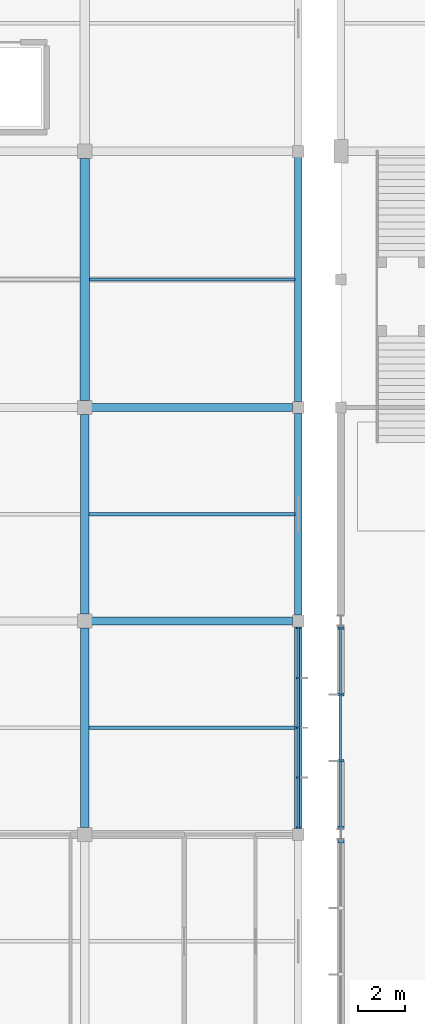
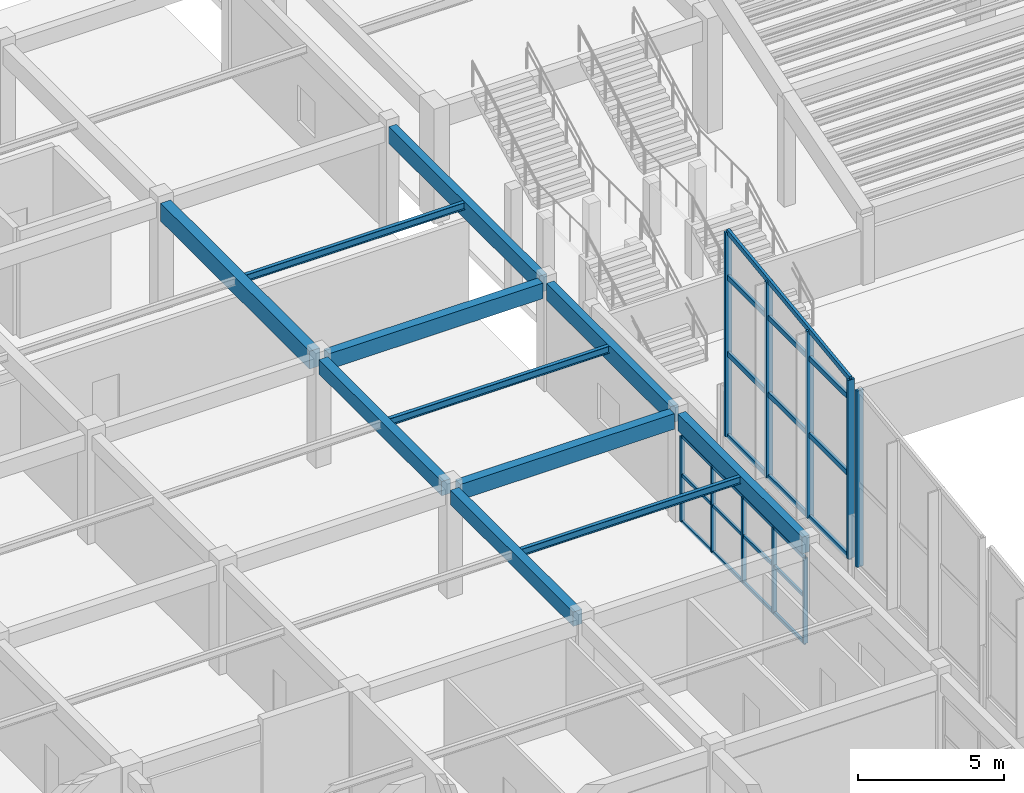
# One storey, part 28 of 82: 29 members, 11 beams, 3 elements without a shape of their own.
"""IFC4 building model written with IfcOpenShell, lengths in metres."""

from ifc_helpers import new_model, si_unit, direction, frame, origin, origin_2d, place, context, subcontext, project, spatial, rectangle, i_section, extrude, material, material_profile, profile_set, type_object, element, aggregate, save


model = new_model("IFC4")

# Units and contexts
model_context = context("Model", 3, precision=1e-05, world=origin(), true_north=direction((0.0, 1.0)))
body_context = subcontext(model_context, "Body", "Model", "MODEL_VIEW")
ifc_project = project(units=[si_unit("LENGTHUNIT", "METRE"), si_unit("AREAUNIT", "SQUARE_METRE"), si_unit("VOLUMEUNIT", "CUBIC_METRE"), si_unit("PLANEANGLEUNIT", "RADIAN"), si_unit("MASSUNIT", "GRAM", prefix="KILO")], contexts=[model_context])

# Site, building, storey
site_placement = place(None, origin())
site = spatial("IfcSite", under=ifc_project, at=site_placement, CompositionType="ELEMENT")
building_placement = place(site_placement, origin())
building = spatial("IfcBuilding", under=site, at=building_placement, Name="Suirenkawa Promenade Aquatics Centre", CompositionType="ELEMENT")
storey_placement = place(building_placement, origin())
storey = spatial("IfcBuildingStorey", under=building, at=storey_placement, Name="L00", CompositionType="ELEMENT", Elevation=0.0)

# Beams
ifc_material_1 = material(Name="Steel IS 2062 E350 (Grade 350)", Category="steel")
ifc_material_profile_1 = material_profile(ifc_material_1, i_section(OverallWidth=0.139892578125, OverallDepth=0.300048828125, WebThickness=0.008056640625, FlangeThickness=0.012939453125, at=origin_2d()), Name="ISMB 300", Category="steel")
ifc_profile_set_1 = profile_set([ifc_material_profile_1], Name="Steel IS 2062 E350 (Grade 350)")
beam_type_1 = type_object("IfcBeamType", Name="BT-JOIST-ISMB300", PredefinedType="JOIST", material=ifc_profile_set_1)
for number, where, z_axis, x_axis, name in (
    (1, (36.1689453125, 72.89990234375, 4.347900390625), (1.0, 0.0, 0.0), (0.0, 1.0, 0.0), "Secondary floor joist JS-02 BM-0381"),
    (2, (36.1689453125, 81.89990234375, 4.347900390625), (1.0, 0.0, 0.0), (0.0, 1.0, 0.0), "Secondary floor joist JS-02 BM-0382"),
):
    element("IfcBeam", number, at=place(storey_placement, frame(where, z_axis=z_axis, x_axis=x_axis)), inside=storey, type_object=beam_type_1, Name=name, PredefinedType="JOIST", context=body_context, shape_type="SweptSolid", body=[
        extrude(i_section(OverallWidth=0.139892578125, OverallDepth=0.300048828125, WebThickness=0.008056640625, FlangeThickness=0.012939453125, at=origin_2d()), origin(), (0.0, 0.0, 1.0), 8.68701171875),
    ])
beam_1_placement = place(storey_placement, frame((36.194091796875, 91.800048828125, 4.347900390625), z_axis=(1.0, 0.0, 0.0), x_axis=(0.0, 1.0, 0.0)))
element("IfcBeam", 3, at=beam_1_placement, inside=storey, type_object=beam_type_1, Name="Secondary floor joist JS-02 BM-0383", PredefinedType="JOIST", context=body_context, shape_type="SweptSolid", body=[
    extrude(i_section(OverallWidth=0.139892578125, OverallDepth=0.300048828125, WebThickness=0.008056640625, FlangeThickness=0.012939453125, at=origin_2d()), origin(), (0.0, 0.0, 1.0), 8.661865234375),
])
ifc_material_2 = material(Name="Concrete M35", Category="concrete")
ifc_material_profile_2 = material_profile(ifc_material_2, rectangle(XDim=0.35009765625, YDim=0.60009765625, at=origin_2d()), Name="RC BM 350x600", Category="concrete")
ifc_profile_set_2 = profile_set([ifc_material_profile_2], Name="Concrete M35")
beam_type_2 = type_object("IfcBeamType", Name="BT-RC-350x600", PredefinedType="BEAM", material=ifc_profile_set_2)
for number, where, z_axis, x_axis, name in (
    (4, (36.0, 68.694091796875, 4.199951171875), (0.0, 1.0, 0.0), (-1.0, 0.0, 0.0), "Floor beam BM-02 BM-0315"),
    (5, (36.0, 77.694091796875, 4.199951171875), (0.0, 1.0, 0.0), (-1.0, 0.0, 0.0), "Floor beam BM-02 BM-0316"),
):
    element("IfcBeam", number, at=place(storey_placement, frame(where, z_axis=z_axis, x_axis=x_axis)), inside=storey, type_object=beam_type_2, Name=name, PredefinedType="BEAM", context=body_context, shape_type="SweptSolid", body=[
        extrude(rectangle(XDim=0.35009765625, YDim=0.60009765625, at=origin_2d()), origin(), (0.0, 0.0, 1.0), 8.411865234375),
    ])
ifc_material_profile_3 = material_profile(ifc_material_2, rectangle(XDim=0.35009765625, YDim=0.64990234375, at=origin_2d()), Name="RC BM 350x650", Category="concrete")
ifc_profile_set_3 = profile_set([ifc_material_profile_3], Name="Concrete M35")
beam_type_3 = type_object("IfcBeamType", Name="BT-RC-350x650", PredefinedType="BEAM", material=ifc_profile_set_3)
for number, where, z_axis, x_axis, name in (
    (6, (36.2939453125, 77.39990234375, 4.175048828125), (1.0, 0.0, 0.0), (0.0, 1.0, 0.0), "Floor beam BM-03 BM-0241"),
    (7, (36.2939453125, 86.39990234375, 4.175048828125), (1.0, 0.0, 0.0), (0.0, 1.0, 0.0), "Floor beam BM-03 BM-0246"),
):
    element("IfcBeam", number, at=place(storey_placement, frame(where, z_axis=z_axis, x_axis=x_axis)), inside=storey, type_object=beam_type_3, Name=name, PredefinedType="BEAM", context=body_context, shape_type="SweptSolid", body=[
        extrude(rectangle(XDim=0.35009765625, YDim=0.64990234375, at=origin_2d()), origin(), (0.0, 0.0, 1.0), 8.462158203125),
    ])
ifc_material_3 = material(Name="Concrete M40", Category="concrete")
ifc_material_profile_4 = material_profile(ifc_material_3, rectangle(XDim=0.39990234375, YDim=0.75, at=origin_2d()), Name="RC BM 400x750", Category="concrete")
ifc_profile_set_4 = profile_set([ifc_material_profile_4], Name="Concrete M40")
beam_type_4 = type_object("IfcBeamType", Name="BT-RC-400x750", PredefinedType="BEAM", material=ifc_profile_set_4)
beam_2_placement = place(storey_placement, frame((36.0, 86.694091796875, 4.125), z_axis=(0.0, 1.0, 0.0), x_axis=(-1.0, 0.0, 0.0)))
element("IfcBeam", 8, at=beam_2_placement, inside=storey, type_object=beam_type_4, Name="Floor beam BM-05 BM-0317", PredefinedType="BEAM", context=body_context, shape_type="SweptSolid", body=[
    extrude(rectangle(XDim=0.39990234375, YDim=0.75, at=origin_2d()), origin(), (0.0, 0.0, 1.0), 10.2119140625),
])
ifc_material_profile_5 = material_profile(ifc_material_3, rectangle(XDim=0.300048828125, YDim=0.699951171875, at=origin_2d()), Name="RC SPANDREL 300x700", Category="concrete")
ifc_profile_set_5 = profile_set([ifc_material_profile_5], Name="Concrete M40")
beam_type_5 = type_object("IfcBeamType", Name="BT-SPANDREL-300x700", PredefinedType="SPANDREL", material=ifc_profile_set_5)
for number, where, z_axis, x_axis, name in (
    (9, (45.0, 68.64404296875, 4.14990234375), (0.0, 1.0, 0.0), (-1.0, 0.0, 0.0), "Floor beam SP-01 BM-0327"),
    (10, (45.0, 77.64404296875, 4.14990234375), (0.0, 1.0, 0.0), (-1.0, 0.0, 0.0), "Floor beam SP-01 BM-0328"),
):
    element("IfcBeam", number, at=place(storey_placement, frame(where, z_axis=z_axis, x_axis=x_axis)), inside=storey, type_object=beam_type_5, Name=name, PredefinedType="SPANDREL", context=body_context, shape_type="SweptSolid", body=[
        extrude(rectangle(XDim=0.300048828125, YDim=0.699951171875, at=origin_2d()), origin(), (0.0, 0.0, 1.0), 8.511962890625),
    ])
beam_3_placement = place(storey_placement, frame((45.0, 86.64404296875, 4.14990234375), z_axis=(0.0, 1.0, 0.0), x_axis=(-1.0, 0.0, 0.0)))
element("IfcBeam", 11, at=beam_3_placement, inside=storey, type_object=beam_type_5, Name="Floor beam SP-01 BM-0329", PredefinedType="SPANDREL", context=body_context, shape_type="SweptSolid", body=[
    extrude(rectangle(XDim=0.300048828125, YDim=0.699951171875, at=origin_2d()), origin(), (0.0, 0.0, 1.0), 10.31201171875),
])

# Curtain wall, members
ifc_material_4 = material(Name="Anodised aluminium 6063-T6", Category="aluminium")
curtain_wall_type_1 = type_object("IfcCurtainWallType", Name="CWAT-V5EL00-43", PredefinedType="NOTDEFINED", material=ifc_material_4)
curtain_wall_1_placement = place(storey_placement, origin())
curtain_wall_1 = element("IfcCurtainWall", 12, at=curtain_wall_1_placement, inside=storey, type_object=curtain_wall_type_1, Name="Curtain wall CWA-43 CW-094", PredefinedType="NOTDEFINED")
ifc_material_profile_6 = material_profile(ifc_material_4, rectangle(XDim=0.090087890625, YDim=0.159912109375, at=origin_2d()), Name="ALU MULL 90x160", Category="aluminium")
ifc_profile_set_6 = profile_set([ifc_material_profile_6], Name="Anodised aluminium 6063-T6")
member_type_1 = type_object("IfcMemberType", Name="CWM-160x90", PredefinedType="MULLION", material=ifc_profile_set_6)
member_1_placement = place(storey_placement, frame((45.0, 77.10107421875, 0.0), z_axis=(0.0, 0.0, 1.0), x_axis=(0.0, -1.0, 0.0)))
member_1 = element("IfcMember", 13, at=member_1_placement, type_object=member_type_1, Name="Mullion ML-03 CWM-01862", PredefinedType="MULLION", context=body_context, shape_type="SweptSolid", body=[
    extrude(rectangle(XDim=0.090087890625, YDim=0.159912109375, at=origin_2d()), origin(), (0.0, 0.0, 1.0), 3.570068359375),
])
member_2_placement = place(storey_placement, frame((45.0, 75.00048828125, 0.0), z_axis=(0.0, 0.0, 1.0), x_axis=(0.0, -1.0, 0.0)))
member_2 = element("IfcMember", 14, at=member_2_placement, type_object=member_type_1, Name="Mullion ML-03 CWM-01863", PredefinedType="MULLION", context=body_context, shape_type="SweptSolid", body=[
    extrude(rectangle(XDim=0.090087890625, YDim=0.159912109375, at=origin_2d()), origin(), (0.0, 0.0, 1.0), 3.570068359375),
])
member_3_placement = place(storey_placement, frame((45.0, 72.89990234375, 0.0), z_axis=(0.0, 0.0, 1.0), x_axis=(0.0, -1.0, 0.0)))
member_3 = element("IfcMember", 15, at=member_3_placement, type_object=member_type_1, Name="Mullion ML-03 CWM-01864", PredefinedType="MULLION", context=body_context, shape_type="SweptSolid", body=[
    extrude(rectangle(XDim=0.090087890625, YDim=0.159912109375, at=origin_2d()), origin(), (0.0, 0.0, 1.0), 3.570068359375),
])
member_4_placement = place(storey_placement, frame((45.0, 70.799560546875, 0.0), z_axis=(0.0, 0.0, 1.0), x_axis=(0.0, -1.0, 0.0)))
member_4 = element("IfcMember", 16, at=member_4_placement, type_object=member_type_1, Name="Mullion ML-03 CWM-01865", PredefinedType="MULLION", context=body_context, shape_type="SweptSolid", body=[
    extrude(rectangle(XDim=0.090087890625, YDim=0.159912109375, at=origin_2d()), origin(), (0.0, 0.0, 1.0), 3.570068359375),
])
member_5_placement = place(storey_placement, frame((45.0, 68.698974609375, 0.0), z_axis=(0.0, 0.0, 1.0), x_axis=(0.0, -1.0, 0.0)))
member_5 = element("IfcMember", 17, at=member_5_placement, type_object=member_type_1, Name="Mullion ML-03 CWM-01866", PredefinedType="MULLION", context=body_context, shape_type="SweptSolid", body=[
    extrude(rectangle(XDim=0.090087890625, YDim=0.159912109375, at=origin_2d()), origin(), (0.0, 0.0, 1.0), 3.570068359375),
])

# Curtain wall, member
curtain_wall_type_2 = type_object("IfcCurtainWallType", Name="CWAT-GABLEV1-02", PredefinedType="NOTDEFINED", material=ifc_material_4)
curtain_wall_2_placement = place(storey_placement, origin())
curtain_wall_2 = element("IfcCurtainWall", 18, at=curtain_wall_2_placement, inside=storey, type_object=curtain_wall_type_2, Name="Curtain wall CWA-02 CW-002", PredefinedType="NOTDEFINED")
ifc_material_profile_7 = material_profile(ifc_material_4, rectangle(XDim=0.110107421875, YDim=0.260009765625, at=origin_2d()), Name="ALU MULL 110x260", Category="aluminium")
ifc_profile_set_7 = profile_set([ifc_material_profile_7], Name="Anodised aluminium 6063-T6")
member_type_2 = type_object("IfcMemberType", Name="CWM-260x110", PredefinedType="MULLION", material=ifc_profile_set_7)
member_6_placement = place(storey_placement, frame((46.800048828125, 68.10107421875, 2.949951171875), z_axis=(0.0, 0.0, 1.0), x_axis=(0.0, 1.0, 0.0)))
member_6 = element("IfcMember", 19, at=member_6_placement, type_object=member_type_2, Name="Mullion ML-04 CWM-00021", PredefinedType="MULLION", context=body_context, shape_type="SweptSolid", body=[
    extrude(rectangle(XDim=0.110107421875, YDim=0.260009765625, at=origin_2d()), origin(), (0.0, 0.0, 1.0), 7.381591796875),
])
aggregate(curtain_wall_2, [member_6])

# Curtain wall, members
curtain_wall_type_3 = type_object("IfcCurtainWallType", Name="CWAT-GABLEV1-03", PredefinedType="NOTDEFINED", material=ifc_material_4)
curtain_wall_3_placement = place(storey_placement, origin())
curtain_wall_3 = element("IfcCurtainWall", 20, at=curtain_wall_3_placement, inside=storey, type_object=curtain_wall_type_3, Name="Curtain wall CWA-03 CW-003", PredefinedType="NOTDEFINED")
member_7_placement = place(storey_placement, frame((46.800048828125, 68.698974609375, 2.949951171875), z_axis=(0.0, 0.0, 1.0), x_axis=(0.0, 1.0, 0.0)))
member_7 = element("IfcMember", 21, at=member_7_placement, type_object=member_type_2, Name="Mullion ML-04 CWM-00035", PredefinedType="MULLION", context=body_context, shape_type="SweptSolid", body=[
    extrude(rectangle(XDim=0.110107421875, YDim=0.260009765625, at=origin_2d()), origin(), (0.0, 0.0, 1.0), 7.45849609375),
])
member_8_placement = place(storey_placement, frame((46.800048828125, 71.499755859375, 2.949951171875), z_axis=(0.0, 0.0, 1.0), x_axis=(0.0, 1.0, 0.0)))
member_8 = element("IfcMember", 22, at=member_8_placement, type_object=member_type_2, Name="Mullion ML-04 CWM-00036", PredefinedType="MULLION", context=body_context, shape_type="SweptSolid", body=[
    extrude(rectangle(XDim=0.110107421875, YDim=0.260009765625, at=origin_2d()), origin(), (0.0, 0.0, 1.0), 7.819580078125),
])
member_9_placement = place(storey_placement, frame((46.800048828125, 74.30029296875, 2.949951171875), z_axis=(0.0, 0.0, 1.0), x_axis=(0.0, 1.0, 0.0)))
member_9 = element("IfcMember", 23, at=member_9_placement, type_object=member_type_2, Name="Mullion ML-04 CWM-00037", PredefinedType="MULLION", context=body_context, shape_type="SweptSolid", body=[
    extrude(rectangle(XDim=0.110107421875, YDim=0.260009765625, at=origin_2d()), origin(), (0.0, 0.0, 1.0), 8.180419921875),
])
member_10_placement = place(storey_placement, frame((46.800048828125, 77.10107421875, 2.949951171875), z_axis=(0.0, 0.0, 1.0), x_axis=(0.0, 1.0, 0.0)))
member_10 = element("IfcMember", 24, at=member_10_placement, type_object=member_type_2, Name="Mullion ML-04 CWM-00038", PredefinedType="MULLION", context=body_context, shape_type="SweptSolid", body=[
    extrude(rectangle(XDim=0.110107421875, YDim=0.260009765625, at=origin_2d()), origin(), (0.0, 0.0, 1.0), 8.54150390625),
])

# Member
ifc_material_profile_8 = material_profile(ifc_material_4, rectangle(XDim=0.090087890625, YDim=0.1298828125, at=origin_2d()), Name="ALU TRAN 90x130", Category="aluminium")
ifc_profile_set_8 = profile_set([ifc_material_profile_8], Name="Anodised aluminium 6063-T6")
member_type_3 = type_object("IfcMemberType", Name="CWT-130x90", PredefinedType="USERDEFINED", material=ifc_profile_set_8)
member_11_placement = place(storey_placement, frame((45.0, 77.10107421875, 0.0), z_axis=(0.0, -1.0, 0.0), x_axis=(1.0, 0.0, 0.0)))
member_11 = element("IfcMember", 25, at=member_11_placement, type_object=member_type_3, Name="Transom TR-03 CWT-01867", ObjectType="TRANSOM", PredefinedType="USERDEFINED", context=body_context, shape_type="SweptSolid", body=[
    extrude(rectangle(XDim=0.090087890625, YDim=0.1298828125, at=origin_2d()), origin(), (0.0, 0.0, 1.0), 2.1005859375),
])

member_12_placement = place(storey_placement, frame((45.0, 75.00048828125, 0.0), z_axis=(0.0, -1.0, 0.0), x_axis=(1.0, 0.0, 0.0)))
member_12 = element("IfcMember", 26, at=member_12_placement, type_object=member_type_3, Name="Transom TR-03 CWT-01868", ObjectType="TRANSOM", PredefinedType="USERDEFINED", context=body_context, shape_type="SweptSolid", body=[
    extrude(rectangle(XDim=0.090087890625, YDim=0.1298828125, at=origin_2d()), origin(), (0.0, 0.0, 1.0), 2.1005859375),
])

member_13_placement = place(storey_placement, frame((45.0, 72.89990234375, 0.0), z_axis=(0.0, -1.0, 0.0), x_axis=(1.0, 0.0, 0.0)))
member_13 = element("IfcMember", 27, at=member_13_placement, type_object=member_type_3, Name="Transom TR-03 CWT-01869", ObjectType="TRANSOM", PredefinedType="USERDEFINED", context=body_context, shape_type="SweptSolid", body=[
    extrude(rectangle(XDim=0.090087890625, YDim=0.1298828125, at=origin_2d()), origin(), (0.0, 0.0, 1.0), 2.100341796875),
])

member_14_placement = place(storey_placement, frame((45.0, 70.799560546875, 0.0), z_axis=(0.0, -1.0, 0.0), x_axis=(1.0, 0.0, 0.0)))
member_14 = element("IfcMember", 28, at=member_14_placement, type_object=member_type_3, Name="Transom TR-03 CWT-01870", ObjectType="TRANSOM", PredefinedType="USERDEFINED", context=body_context, shape_type="SweptSolid", body=[
    extrude(rectangle(XDim=0.090087890625, YDim=0.1298828125, at=origin_2d()), origin(), (0.0, 0.0, 1.0), 2.1005859375),
])

member_15_placement = place(storey_placement, frame((45.0, 77.10107421875, 1.949951171875), z_axis=(0.0, -1.0, 0.0), x_axis=(1.0, 0.0, 0.0)))
member_15 = element("IfcMember", 29, at=member_15_placement, type_object=member_type_3, Name="Transom TR-03 CWT-01871", ObjectType="TRANSOM", PredefinedType="USERDEFINED", context=body_context, shape_type="SweptSolid", body=[
    extrude(rectangle(XDim=0.090087890625, YDim=0.1298828125, at=origin_2d()), origin(), (0.0, 0.0, 1.0), 2.1005859375),
])

member_16_placement = place(storey_placement, frame((45.0, 75.00048828125, 1.949951171875), z_axis=(0.0, -1.0, 0.0), x_axis=(1.0, 0.0, 0.0)))
member_16 = element("IfcMember", 30, at=member_16_placement, type_object=member_type_3, Name="Transom TR-03 CWT-01872", ObjectType="TRANSOM", PredefinedType="USERDEFINED", context=body_context, shape_type="SweptSolid", body=[
    extrude(rectangle(XDim=0.090087890625, YDim=0.1298828125, at=origin_2d()), origin(), (0.0, 0.0, 1.0), 2.1005859375),
])

member_17_placement = place(storey_placement, frame((45.0, 72.89990234375, 1.949951171875), z_axis=(0.0, -1.0, 0.0), x_axis=(1.0, 0.0, 0.0)))
member_17 = element("IfcMember", 31, at=member_17_placement, type_object=member_type_3, Name="Transom TR-03 CWT-01873", ObjectType="TRANSOM", PredefinedType="USERDEFINED", context=body_context, shape_type="SweptSolid", body=[
    extrude(rectangle(XDim=0.090087890625, YDim=0.1298828125, at=origin_2d()), origin(), (0.0, 0.0, 1.0), 2.100341796875),
])

member_18_placement = place(storey_placement, frame((45.0, 70.799560546875, 1.949951171875), z_axis=(0.0, -1.0, 0.0), x_axis=(1.0, 0.0, 0.0)))
member_18 = element("IfcMember", 32, at=member_18_placement, type_object=member_type_3, Name="Transom TR-03 CWT-01874", ObjectType="TRANSOM", PredefinedType="USERDEFINED", context=body_context, shape_type="SweptSolid", body=[
    extrude(rectangle(XDim=0.090087890625, YDim=0.1298828125, at=origin_2d()), origin(), (0.0, 0.0, 1.0), 2.1005859375),
])

member_19_placement = place(storey_placement, frame((45.0, 77.10107421875, 3.570068359375), z_axis=(0.0, -1.0, 0.0), x_axis=(1.0, 0.0, 0.0)))
member_19 = element("IfcMember", 33, at=member_19_placement, type_object=member_type_3, Name="Roofline transom TR-03 CWT-01875", ObjectType="TRANSOM", PredefinedType="USERDEFINED", context=body_context, shape_type="SweptSolid", body=[
    extrude(rectangle(XDim=0.090087890625, YDim=0.1298828125, at=origin_2d()), origin(), (0.0, 0.0, 1.0), 8.402099609375),
])

aggregate(curtain_wall_1, [member_1, member_2, member_3, member_4, member_5, member_11, member_12, member_13, member_14, member_15, member_16, member_17, member_18, member_19])

ifc_material_profile_9 = material_profile(ifc_material_4, rectangle(XDim=0.110107421875, YDim=0.2099609375, at=origin_2d()), Name="ALU TRAN 110x210", Category="aluminium")
ifc_profile_set_9 = profile_set([ifc_material_profile_9], Name="Anodised aluminium 6063-T6")
member_type_4 = type_object("IfcMemberType", Name="CWT-210x110", PredefinedType="USERDEFINED", material=ifc_profile_set_9)
member_20_placement = place(storey_placement, frame((46.800048828125, 68.698974609375, 2.949951171875), z_axis=(0.0, 1.0, 0.0), x_axis=(-1.0, 0.0, 0.0)))
member_20 = element("IfcMember", 34, at=member_20_placement, type_object=member_type_4, Name="Transom TR-04 CWT-00039", ObjectType="TRANSOM", PredefinedType="USERDEFINED", context=body_context, shape_type="SweptSolid", body=[
    extrude(rectangle(XDim=0.110107421875, YDim=0.2099609375, at=origin_2d()), origin(), (0.0, 0.0, 1.0), 2.80078125),
])

member_21_placement = place(storey_placement, frame((46.800048828125, 71.499755859375, 2.949951171875), z_axis=(0.0, 1.0, 0.0), x_axis=(-1.0, 0.0, 0.0)))
member_21 = element("IfcMember", 35, at=member_21_placement, type_object=member_type_4, Name="Transom TR-04 CWT-00040", ObjectType="TRANSOM", PredefinedType="USERDEFINED", context=body_context, shape_type="SweptSolid", body=[
    extrude(rectangle(XDim=0.110107421875, YDim=0.2099609375, at=origin_2d()), origin(), (0.0, 0.0, 1.0), 2.800537109375),
])

member_22_placement = place(storey_placement, frame((46.800048828125, 74.30029296875, 2.949951171875), z_axis=(0.0, 1.0, 0.0), x_axis=(-1.0, 0.0, 0.0)))
member_22 = element("IfcMember", 36, at=member_22_placement, type_object=member_type_4, Name="Transom TR-04 CWT-00041", ObjectType="TRANSOM", PredefinedType="USERDEFINED", context=body_context, shape_type="SweptSolid", body=[
    extrude(rectangle(XDim=0.110107421875, YDim=0.2099609375, at=origin_2d()), origin(), (0.0, 0.0, 1.0), 2.80078125),
])

member_23_placement = place(storey_placement, frame((46.800048828125, 68.698974609375, 6.39990234375), z_axis=(0.0, 1.0, 0.0), x_axis=(-1.0, 0.0, 0.0)))
member_23 = element("IfcMember", 37, at=member_23_placement, type_object=member_type_4, Name="Transom TR-04 CWT-00042", ObjectType="TRANSOM", PredefinedType="USERDEFINED", context=body_context, shape_type="SweptSolid", body=[
    extrude(rectangle(XDim=0.110107421875, YDim=0.2099609375, at=origin_2d()), origin(), (0.0, 0.0, 1.0), 2.80078125),
])

member_24_placement = place(storey_placement, frame((46.800048828125, 71.499755859375, 6.39990234375), z_axis=(0.0, 1.0, 0.0), x_axis=(-1.0, 0.0, 0.0)))
member_24 = element("IfcMember", 38, at=member_24_placement, type_object=member_type_4, Name="Transom TR-04 CWT-00043", ObjectType="TRANSOM", PredefinedType="USERDEFINED", context=body_context, shape_type="SweptSolid", body=[
    extrude(rectangle(XDim=0.110107421875, YDim=0.2099609375, at=origin_2d()), origin(), (0.0, 0.0, 1.0), 2.800537109375),
])

member_25_placement = place(storey_placement, frame((46.800048828125, 74.30029296875, 6.39990234375), z_axis=(0.0, 1.0, 0.0), x_axis=(-1.0, 0.0, 0.0)))
member_25 = element("IfcMember", 39, at=member_25_placement, type_object=member_type_4, Name="Transom TR-04 CWT-00044", ObjectType="TRANSOM", PredefinedType="USERDEFINED", context=body_context, shape_type="SweptSolid", body=[
    extrude(rectangle(XDim=0.110107421875, YDim=0.2099609375, at=origin_2d()), origin(), (0.0, 0.0, 1.0), 2.80078125),
])

member_26_placement = place(storey_placement, frame((46.800048828125, 68.698974609375, 9.60009765625), z_axis=(0.0, 1.0, 0.0), x_axis=(-1.0, 0.0, 0.0)))
member_26 = element("IfcMember", 40, at=member_26_placement, type_object=member_type_4, Name="Transom TR-04 CWT-00045", ObjectType="TRANSOM", PredefinedType="USERDEFINED", context=body_context, shape_type="SweptSolid", body=[
    extrude(rectangle(XDim=0.110107421875, YDim=0.2099609375, at=origin_2d()), origin(), (0.0, 0.0, 1.0), 2.80078125),
])

member_27_placement = place(storey_placement, frame((46.800048828125, 71.499755859375, 9.60009765625), z_axis=(0.0, 1.0, 0.0), x_axis=(-1.0, 0.0, 0.0)))
member_27 = element("IfcMember", 41, at=member_27_placement, type_object=member_type_4, Name="Transom TR-04 CWT-00046", ObjectType="TRANSOM", PredefinedType="USERDEFINED", context=body_context, shape_type="SweptSolid", body=[
    extrude(rectangle(XDim=0.110107421875, YDim=0.2099609375, at=origin_2d()), origin(), (0.0, 0.0, 1.0), 2.800537109375),
])

member_28_placement = place(storey_placement, frame((46.800048828125, 74.30029296875, 9.60009765625), z_axis=(0.0, 1.0, 0.0), x_axis=(-1.0, 0.0, 0.0)))
member_28 = element("IfcMember", 42, at=member_28_placement, type_object=member_type_4, Name="Transom TR-04 CWT-00047", ObjectType="TRANSOM", PredefinedType="USERDEFINED", context=body_context, shape_type="SweptSolid", body=[
    extrude(rectangle(XDim=0.110107421875, YDim=0.2099609375, at=origin_2d()), origin(), (0.0, 0.0, 1.0), 2.80078125),
])

member_29_placement = place(storey_placement, frame((46.800048828125, 68.698974609375, 10.408447265625), z_axis=(0.0, 0.99179484823, 0.12783966139), x_axis=(-1.0, 0.0, 0.0)))
member_29 = element("IfcMember", 43, at=member_29_placement, type_object=member_type_4, Name="Roofline transom TR-04 CWT-00048", ObjectType="TRANSOM", PredefinedType="USERDEFINED", context=body_context, shape_type="SweptSolid", body=[
    extrude(rectangle(XDim=0.110107421875, YDim=0.2099609375, at=origin_2d()), origin(), (0.0, 0.0, 1.0), 8.4716796875),
])

aggregate(curtain_wall_3, [member_7, member_8, member_9, member_10, member_20, member_21, member_22, member_23, member_24, member_25, member_26, member_27, member_28, member_29])

save(model, "model.ifc")
